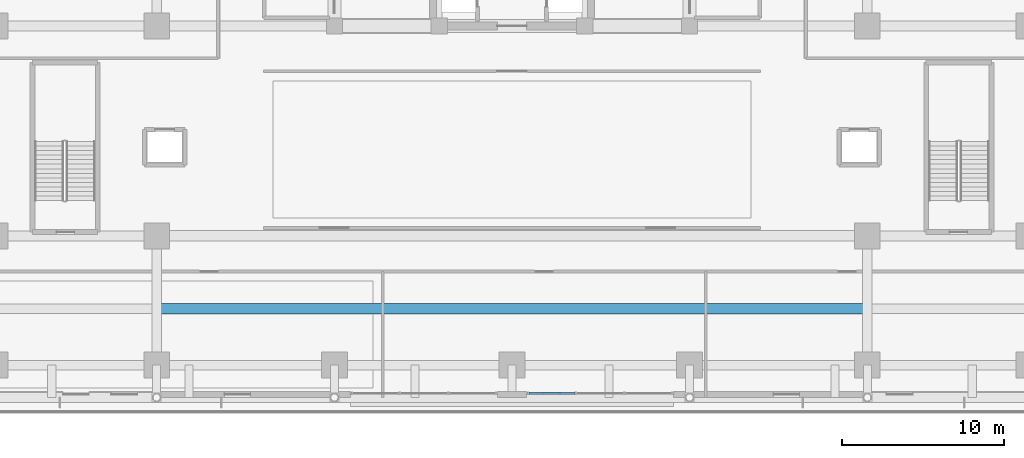
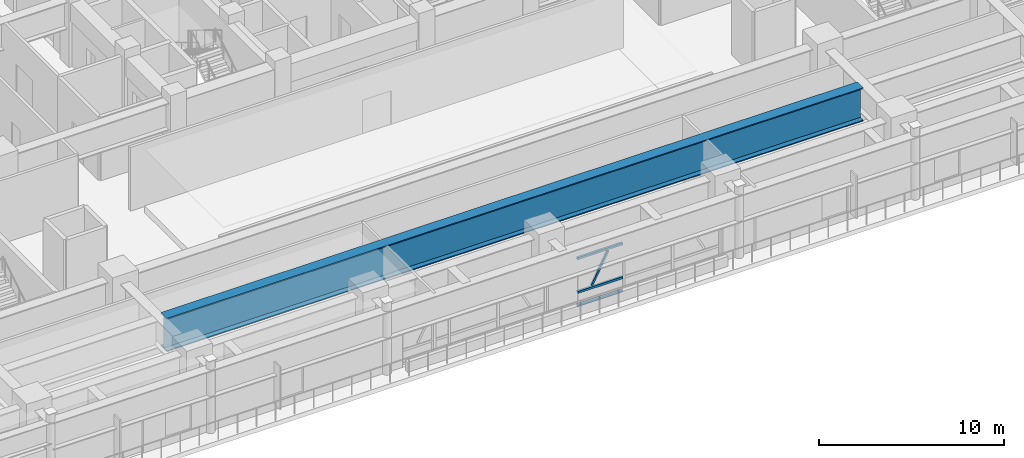
# One storey, part 12 of 35: 4 members, 1 beam, 1 element without a shape of its own.
"""IFC4 building model written with IfcOpenShell, lengths in metres."""

import ifcopenshell
import ifcopenshell.guid

model = None  # the IFC model being written
_history = None  # IfcOwnerHistory: only IFC2X3 demands one
_inside = {}  # id of a spatial element -> (the spatial element, [elements in it])
_under = {}  # id of a project, library or spatial element -> (it, [spatial elements below it])
_declared = {}  # id of a project -> (the project, [libraries it declares])
_typed = {}  # id of a type object -> (the type object, [elements of that type])
_made_of = {}  # id of a material, layer set ... -> (it, [elements and type objects made of it])


def new_model(schema):
    """Start an empty IFC model of exactly this schema.

    Asked for "IFC4X3", IfcOpenShell would pick the latest addendum, in which some entities
    have other attributes; the version numbers below select the first issue.
    IFC2X3 requires an IfcOwnerHistory on every rooted entity: one is made here for all.
    """
    global model, _history
    if schema == "IFC4X3":
        model = ifcopenshell.file(schema_version=(4, 3, 0, 0))
    else:
        model = ifcopenshell.file(schema=schema)
    _inside.clear()
    _under.clear()
    _declared.clear()
    _typed.clear()
    _made_of.clear()
    _history = None
    if model.schema == "IFC2X3":
        org = make("IfcOrganization", Name="unknown")
        user = make(
            "IfcPersonAndOrganization",
            ThePerson=make("IfcPerson", FamilyName="unknown"),
            TheOrganization=org,
        )
        app = make(
            "IfcApplication",
            ApplicationDeveloper=org,
            Version="unknown",
            ApplicationFullName="unknown",
            ApplicationIdentifier="unknown",
        )
        _history = make(
            "IfcOwnerHistory",
            OwningUser=user,
            OwningApplication=app,
            ChangeAction="ADDED",
            CreationDate=0,
        )
    return model


def make(cls, **values):
    """One entity of the class cls with the attributes given. An attribute that is None is left unset."""
    return model.create_entity(
        cls, **{name: value for name, value in values.items() if value is not None}
    )


def rooted(cls, **values):
    """An entity with a GlobalId (a new one), such as an element, a storey or a relation."""
    return make(cls, GlobalId=ifcopenshell.guid.new(), OwnerHistory=_history, **values)


def si_unit(unit_type, name, prefix=None):
    """IfcSIUnit, for example si_unit("LENGTHUNIT", "METRE", prefix="MILLI")."""
    return make("IfcSIUnit", UnitType=unit_type, Prefix=prefix, Name=name)


def assignment(units):
    """IfcUnitAssignment: the units of a project."""
    return None if units is None else make("IfcUnitAssignment", Units=units)


def point(xyz):
    """IfcCartesianPoint."""
    return None if xyz is None else make("IfcCartesianPoint", Coordinates=xyz)


def direction(xyz):
    """IfcDirection."""
    return None if xyz is None else make("IfcDirection", DirectionRatios=xyz)


def frame(location, z_axis=None, x_axis=None):
    """IfcAxis2Placement3D, a coordinate frame: its origin and axes. An axis left out is left unset."""
    return make(
        "IfcAxis2Placement3D",
        Location=point(location),
        Axis=direction(z_axis),
        RefDirection=direction(x_axis),
    )


def frame_2d(location, x_axis=None):
    """IfcAxis2Placement2D, a coordinate frame in the plane: its origin and x axis."""
    return make(
        "IfcAxis2Placement2D", Location=point(location), RefDirection=direction(x_axis)
    )


def origin():
    """The frame at (0, 0, 0) with its axes left unset."""
    return frame((0.0, 0.0, 0.0))


def origin_2d():
    """The frame at (0, 0) in the plane with its x axis left unset."""
    return frame_2d((0.0, 0.0))


def place(relative_to, where):
    """IfcLocalPlacement: puts the frame where relative to a parent placement (None: the world)."""
    return make(
        "IfcLocalPlacement", PlacementRelTo=relative_to, RelativePlacement=where
    )


def context(
    kind, dimensions, precision=None, world=None, true_north=None, identifier=None
):
    """IfcGeometricRepresentationContext, for example the 3D "Model" context."""
    return make(
        "IfcGeometricRepresentationContext",
        ContextIdentifier=identifier,
        ContextType=kind,
        CoordinateSpaceDimension=dimensions,
        Precision=precision,
        WorldCoordinateSystem=world,
        TrueNorth=true_north,
    )


def subcontext(parent, identifier, kind, view, scale=None):
    """IfcGeometricRepresentationSubContext, for example "Body" below "Model"."""
    return make(
        "IfcGeometricRepresentationSubContext",
        ContextIdentifier=identifier,
        ContextType=kind,
        ParentContext=parent,
        TargetScale=scale,
        TargetView=view,
    )


def project(units=None, contexts=None):
    """IfcProject with its units and contexts."""
    return rooted(
        "IfcProject",
        Name="project",
        RepresentationContexts=contexts,
        UnitsInContext=assignment(units),
    )


def spatial(cls, under=None, at=None, **own):
    """A site, building, storey or space (cls), placed at a placement, below another one or the project."""
    s = rooted(cls, ObjectPlacement=at, **own)
    if under is not None:
        _under.setdefault(under.id(), (under, []))[1].append(s)
    return s


def profile(cls, at=None, kind="AREA", **sizes):
    """A parametric profile (cls). Its sizes go by their IFC names, for example OverallWidth=200.0."""
    return make(cls, ProfileType=kind, Position=at, **sizes)


def hollow_rectangle(**sizes):
    """IfcRectangleHollowProfileDef."""
    return profile("IfcRectangleHollowProfileDef", **sizes)


def i_section(**sizes):
    """IfcIShapeProfileDef."""
    return profile("IfcIShapeProfileDef", **sizes)


def extrude(swept, where, along, depth):
    """IfcExtrudedAreaSolid: the profile swept, set in the frame where, extruded along a direction by depth."""
    return make(
        "IfcExtrudedAreaSolid",
        SweptArea=swept,
        Position=where,
        ExtrudedDirection=direction(along),
        Depth=depth,
    )


def shape(context_of_items, identifier, shape_type, items):
    """IfcShapeRepresentation: the items that make up one representation, for example the "Body"."""
    return make(
        "IfcShapeRepresentation",
        ContextOfItems=context_of_items,
        RepresentationIdentifier=identifier,
        RepresentationType=shape_type,
        Items=items,
    )


def source(mapping_origin, context_of_items, identifier, shape_type, items):
    """IfcRepresentationMap: a shape defined once, which mapped items show again and again."""
    return make(
        "IfcRepresentationMap",
        MappingOrigin=mapping_origin,
        MappedRepresentation=shape(context_of_items, identifier, shape_type, items),
    )


def transform(
    local_origin,
    x_axis=None,
    y_axis=None,
    z_axis=None,
    scale=None,
    scale2=None,
    scale3=None,
    uniform=True,
):
    """IfcCartesianTransformationOperator3D, or its non-uniform kind. x_axis, y_axis, z_axis: its Axis1, 2, 3."""
    if uniform:
        return make(
            "IfcCartesianTransformationOperator3D",
            Axis1=direction(x_axis),
            Axis2=direction(y_axis),
            LocalOrigin=point(local_origin),
            Scale=scale,
            Axis3=direction(z_axis),
        )
    return make(
        "IfcCartesianTransformationOperator3DnonUniform",
        Axis1=direction(x_axis),
        Axis2=direction(y_axis),
        LocalOrigin=point(local_origin),
        Scale=scale,
        Axis3=direction(z_axis),
        Scale2=scale2,
        Scale3=scale3,
    )


def mapped(mapping_source, mapping_target):
    """IfcMappedItem: shows the shape of a source again, moved by a transform."""
    return make(
        "IfcMappedItem", MappingSource=mapping_source, MappingTarget=mapping_target
    )


def material(Name=None, Category=None):
    """IfcMaterial."""
    return make("IfcMaterial", Name=Name, Category=Category)


def material_profile(
    of_material, cross_section, Name=None, Category=None, Priority=None
):
    """IfcMaterialProfile: a cross section and its material."""
    return make(
        "IfcMaterialProfile",
        Name=Name,
        Material=of_material,
        Profile=cross_section,
        Priority=Priority,
        Category=Category,
    )


def profile_set(profiles, Name=None, composite=None):
    """IfcMaterialProfileSet."""
    return make(
        "IfcMaterialProfileSet",
        Name=Name,
        MaterialProfiles=profiles,
        CompositeProfile=composite,
    )


def made_of(thing, what):
    """Note that an element or type object is made of a material, layer set ...; save() writes the relation."""
    if what is not None:
        _made_of.setdefault(what.id(), (what, []))[1].append(thing)
    return thing


def type_object(cls, material=None, **own):
    """A type object (cls), such as IfcWallType, which elements share."""
    return made_of(rooted(cls, **own), material)


def element(
    cls,
    number,
    at=None,
    inside=None,
    cuts=None,
    type_object=None,
    material=None,
    context=None,
    identifier="Body",
    shape_type=None,
    held_by="IfcProductDefinitionShape",
    body=None,
    shapes=None,
    **own,
):
    """One element of the class cls, such as IfcWall. Its Tag is "e" and its number.

    at: its placement. inside: the storey or other place that contains it. cuts: it is an
    opening in that element (IfcRelVoidsElement). A single representation is given by context,
    identifier, shape_type and body (its items); several are given by shapes. held_by: the class
    of the entity that holds the representations. save() writes the other relations.
    """
    e = rooted(cls, Tag="e%d" % number, ObjectPlacement=at, **own)
    if body is not None:
        shapes = [shape(context, identifier, shape_type, body)]
    if shapes is not None:
        e.Representation = make(held_by, Representations=shapes)
    if inside is not None:
        _inside.setdefault(inside.id(), (inside, []))[1].append(e)
    if cuts is not None:
        rooted(
            "IfcRelVoidsElement", RelatingBuildingElement=cuts, RelatedOpeningElement=e
        )
    if type_object is not None:
        _typed.setdefault(type_object.id(), (type_object, []))[1].append(e)
    return made_of(e, material)


def aggregate(whole, parts):
    """IfcRelAggregates: a whole, such as a stair, and the parts it consists of."""
    return rooted("IfcRelAggregates", RelatingObject=whole, RelatedObjects=parts)


def save(model, path):
    """Write the relations noted so far, then the file.

    IfcRelAggregates (storeys below a building ...), IfcRelContainedInSpatialStructure (elements
    in a storey), IfcRelDefinesByType, IfcRelAssociatesMaterial and IfcRelDeclares: one each for
    every whole, place, type object, material and project.
    """
    for whole, parts in _under.values():
        aggregate(whole, parts)
    for where, things in _inside.values():
        rooted(
            "IfcRelContainedInSpatialStructure",
            RelatedElements=things,
            RelatingStructure=where,
        )
    for kind, things in _typed.values():
        rooted("IfcRelDefinesByType", RelatedObjects=things, RelatingType=kind)
    for what, things in _made_of.values():
        rooted("IfcRelAssociatesMaterial", RelatedObjects=things, RelatingMaterial=what)
    for by, libraries in _declared.values():
        rooted("IfcRelDeclares", RelatingContext=by, RelatedDefinitions=libraries)
    model.write(path)


model = new_model("IFC4")

# Units and contexts
model_context = context("Model", 3, precision=1e-05, world=origin(), true_north=direction((0.0, 1.0)))
body_context = subcontext(model_context, "Body", "Model", "MODEL_VIEW")
ifc_project = project(units=[si_unit("LENGTHUNIT", "METRE"), si_unit("AREAUNIT", "SQUARE_METRE"), si_unit("VOLUMEUNIT", "CUBIC_METRE"), si_unit("PLANEANGLEUNIT", "RADIAN"), si_unit("MASSUNIT", "GRAM", prefix="KILO")], contexts=[model_context])

# Site, building, storey
site_placement = place(None, origin())
site = spatial("IfcSite", under=ifc_project, at=site_placement, CompositionType="ELEMENT")
building_placement = place(site_placement, origin())
building = spatial("IfcBuilding", under=site, at=building_placement, Name="Khorayat Bourse Tower", CompositionType="ELEMENT")
storey_placement = place(building_placement, frame((0.0, 0.0, 22.199951171875)))
storey = spatial("IfcBuildingStorey", under=building, at=storey_placement, Name="L04", CompositionType="ELEMENT", Elevation=22.199951171875)

# Beam
ifc_material_1 = material(Name="Steel EN 10025-4 S460M", Category="steel")
ifc_material_profile_1 = material_profile(ifc_material_1, i_section(OverallWidth=0.64990234375, OverallDepth=2.199951171875, WebThickness=0.035888671875, FlangeThickness=0.06494140625, at=origin_2d()), Name="PG 2200x650x36x65")
ifc_profile_set_1 = profile_set([ifc_material_profile_1], Name="Steel EN 10025-4 S460M")
beam_type = type_object("IfcBeamType", Name="BM-TR-2200", PredefinedType="BEAM", material=ifc_profile_set_1)
shared_shape_1 = source(origin(), body_context, "Body", "SweptSolid", [
    extrude(i_section(OverallWidth=0.64990234375, OverallDepth=2.199951171875, WebThickness=0.035888671875, FlangeThickness=0.06494140625, at=origin_2d()), origin(), (0.0, 0.0, 1.0), 43.52001953125),
])
beam_placement = place(storey_placement, frame((-21.760009765625, -28.5, 3.10009765625), z_axis=(1.0, 0.0, 0.0), x_axis=(0.0, 1.0, 0.0)))
element("IfcBeam", 1, at=beam_placement, inside=storey, type_object=beam_type, Name="L04 BM-TR-2200 BM-L04-PGX-041", PredefinedType="BEAM", context=body_context, shape_type="MappedRepresentation", body=[
    mapped(shared_shape_1, transform((0.0, 0.0, 0.0), scale=1.0)),
])

# Curtain wall, members
ifc_material_2 = material(Name="Aluminium EN AW-6063 T6", Category="aluminium")
curtain_wall_type = type_object("IfcCurtainWallType", Name="CW-SYS-01", PredefinedType="NOTDEFINED", material=ifc_material_2)
curtain_wall_placement = place(storey_placement, origin())
curtain_wall = element("IfcCurtainWall", 2, at=curtain_wall_placement, inside=storey, type_object=curtain_wall_type, Name="L04 Curtain Wall CW-L04-SE", PredefinedType="NOTDEFINED")
ifc_material_profile_2 = material_profile(ifc_material_2, hollow_rectangle(XDim=0.139892578125, YDim=0.139892578125, WallThickness=0.006103515625, at=origin_2d()), Name="ALU 140x140x6")
ifc_profile_set_2 = profile_set([ifc_material_profile_2], Name="Aluminium EN AW-6063 T6")
member_type_1 = type_object("IfcMemberType", Name="CWT-HORZ-140", PredefinedType="USERDEFINED", material=ifc_profile_set_2)
shared_shape_2 = source(origin(), body_context, "Body", "SweptSolid", [
    extrude(hollow_rectangle(XDim=0.139892578125, YDim=0.139892578125, WallThickness=0.006103515625, at=origin_2d()), origin(), (0.0, 0.0, 1.0), 2.8232421875),
])
member_1_placement = place(storey_placement, frame((1.0400390625, -33.742919921875, 0.070068359375), z_axis=(1.0, 0.0, 0.0), x_axis=(0.0, 1.0, 0.0)))
member_1 = element("IfcMember", 3, at=member_1_placement, type_object=member_type_1, Name="CW-L04-SE Horizontal Transom 1-1", ObjectType="TRANSOM", PredefinedType="USERDEFINED", context=body_context, shape_type="MappedRepresentation", body=[
    mapped(shared_shape_2, transform((0.0, 0.0, 0.0), scale=1.0)),
])
member_2_placement = place(storey_placement, frame((1.0400390625, -33.742919921875, 0.949951171875), z_axis=(1.0, 0.0, 0.0), x_axis=(0.0, 1.0, 0.0)))
member_2 = element("IfcMember", 4, at=member_2_placement, type_object=member_type_1, Name="CW-L04-SE Horizontal Transom 1-2", ObjectType="TRANSOM", PredefinedType="USERDEFINED", context=body_context, shape_type="MappedRepresentation", body=[
    mapped(shared_shape_2, transform((0.0, 0.0, 0.0), scale=1.0)),
])
member_3_placement = place(storey_placement, frame((1.0400390625, -33.742919921875, 3.179931640625), z_axis=(1.0, 0.0, 0.0), x_axis=(0.0, 1.0, 0.0)))
member_3 = element("IfcMember", 5, at=member_3_placement, type_object=member_type_1, Name="CW-L04-SE Horizontal Transom 1-3", ObjectType="TRANSOM", PredefinedType="USERDEFINED", context=body_context, shape_type="MappedRepresentation", body=[
    mapped(shared_shape_2, transform((0.0, 0.0, 0.0), scale=1.0)),
])
ifc_material_profile_3 = material_profile(ifc_material_2, hollow_rectangle(XDim=0.1201171875, YDim=0.1201171875, WallThickness=0.0048828125, at=origin_2d()), Name="ALU 120x120x5")
ifc_profile_set_3 = profile_set([ifc_material_profile_3], Name="Aluminium EN AW-6063 T6")
member_type_2 = type_object("IfcMemberType", Name="CWM-DIAG-120", PredefinedType="MULLION", material=ifc_profile_set_3)
shared_shape_3 = source(origin(), body_context, "Body", "SweptSolid", [
    extrude(hollow_rectangle(XDim=0.1201171875, YDim=0.1201171875, WallThickness=0.0048828125, at=origin_2d()), origin(), (0.0, 0.0, 1.0), 2.180908203125),
])
member_4_placement = place(storey_placement, frame((1.94384765625, -33.742919921875, 1.10009765625), z_axis=(0.465700293446, 0.0, 0.884942504734), x_axis=(0.0, 1.0, 0.0)))
member_4 = element("IfcMember", 6, at=member_4_placement, type_object=member_type_2, Name="CW-L04-SE Faceted Diagonal Mullion 1", PredefinedType="MULLION", context=body_context, shape_type="MappedRepresentation", body=[
    mapped(shared_shape_3, transform((0.0, 0.0, 0.0), scale=1.0)),
])
aggregate(curtain_wall, [member_1, member_2, member_3, member_4])

save(model, "model.ifc")
